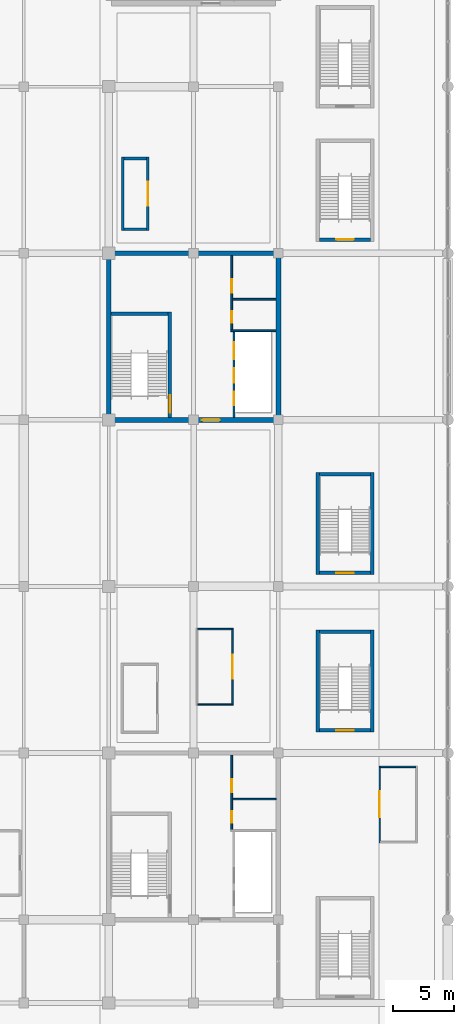
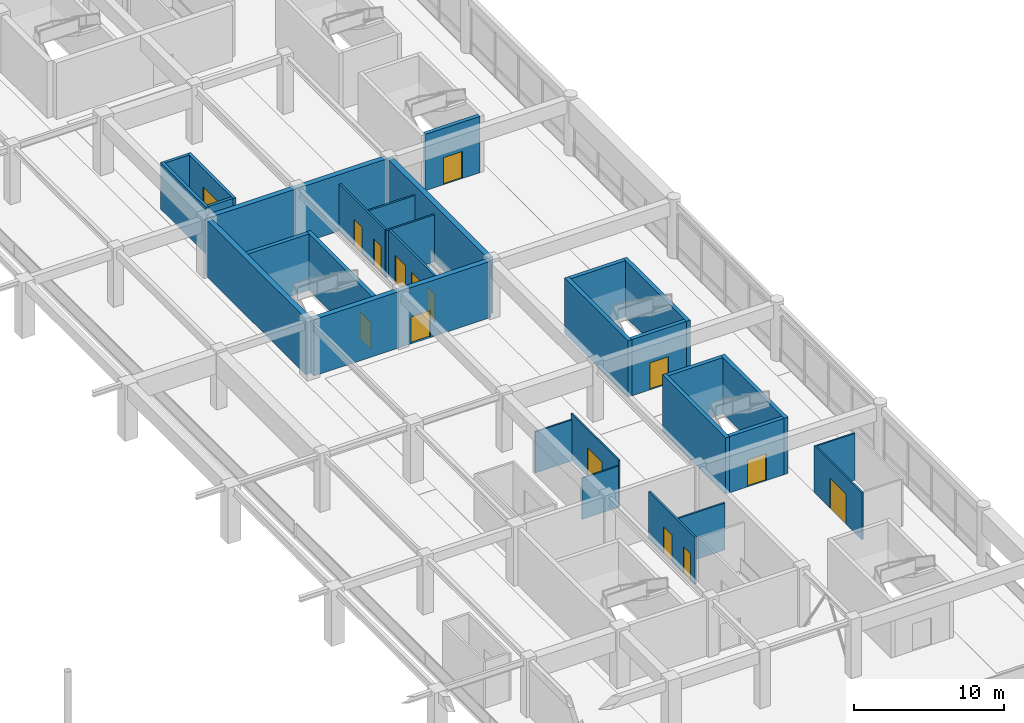
# One storey, part 69 of 91: 30 walls, 15 doors, 15 openings.
"""IFC4 building model written with IfcOpenShell, lengths in metres."""

from ifc_helpers import new_model, si_unit, direction, frame, frame_2d, origin, place, context, subcontext, project, spatial, rectangle, extrude, material, layer, layer_set, type_object, element, fill, save


model = new_model("IFC4")

# Units and contexts
model_context = context("Model", 3, precision=1e-05, world=origin(), true_north=direction((0.0, 1.0)))
body_context = subcontext(model_context, "Body", "Model", "MODEL_VIEW")
ifc_project = project(units=[si_unit("LENGTHUNIT", "METRE"), si_unit("AREAUNIT", "SQUARE_METRE"), si_unit("VOLUMEUNIT", "CUBIC_METRE"), si_unit("PLANEANGLEUNIT", "RADIAN"), si_unit("MASSUNIT", "GRAM", prefix="KILO")], contexts=[model_context])

# Site, building, storey
site_placement = place(None, origin())
site = spatial("IfcSite", under=ifc_project, at=site_placement, CompositionType="ELEMENT")
building_placement = place(site_placement, origin())
building = spatial("IfcBuilding", under=site, at=building_placement, Name="Linyun Crest Stadium", CompositionType="ELEMENT")
storey_placement = place(building_placement, frame((0.0, 0.0, 11.39990234375)))
storey = spatial("IfcBuildingStorey", under=building, at=storey_placement, Name="L03", CompositionType="ELEMENT", Elevation=11.39990234375)

# Walls
ifc_material_1 = material(Name="Concrete C50", Category="concrete")
ifc_layer_1 = layer(ifc_material_1, 0.39990234375)
ifc_layer_set_1 = layer_set([ifc_layer_1], Name="Concrete C50")
wall_type_1 = type_object("IfcWallType", Name="CW02", PredefinedType="SHEAR", material=ifc_layer_set_1)
for number, where, z_axis, x_axis, name in (
    (1, (70.0, 2.324951171875, 0.0), (0.0, 0.0, 1.0), (0.0, 1.0, 0.0), "Core shear wall CW02 CORE-E2 L03.1"),
    (2, (84.0, 2.324951171875, 0.0), (0.0, 0.0, 1.0), (0.0, 1.0, 0.0), "Core shear wall CW02 CORE-E2 L03.2"),
):
    element("IfcWall", number, at=place(storey_placement, frame(where, z_axis=z_axis, x_axis=x_axis)), inside=storey, type_object=wall_type_1, Name=name, PredefinedType="SHEAR", context=body_context, shape_type="SweptSolid", body=[
        extrude(rectangle(XDim=13.35009765625, YDim=0.39990234375, at=frame_2d((6.675048828125, 0.0))), origin(), (0.0, 0.0, 1.0), 4.580078125),
    ])

# Wall, opening, door
wall_1_placement = place(storey_placement, frame((70.199951171875, 2.125, 0.0), z_axis=(0.0, 0.0, 1.0), x_axis=(1.0, 0.0, 0.0)))
wall_1 = element("IfcWall", 3, at=wall_1_placement, inside=storey, type_object=wall_type_1, Name="Core shear wall CW02 CORE-E2 L03.3", PredefinedType="SHEAR", context=body_context, shape_type="SweptSolid", body=[
    extrude(rectangle(XDim=13.60009765625, YDim=0.39990234375, at=frame_2d((6.800048828125, 0.0))), origin(), (0.0, 0.0, 1.0), 4.580078125),
])
opening_1_placement = place(wall_1_placement, frame((7.47998046875, 0.0, 0.0)))
opening_1 = element("IfcOpeningElement", 4, at=opening_1_placement, cuts=wall_1, Name="Opening D-L03-205", PredefinedType="OPENING", context=body_context, shape_type="SweptSolid", body=[
    extrude(rectangle(XDim=1.5, YDim=2.199951171875, at=frame_2d((0.75, 1.10009765625))), frame((0.0, 0.2099609375, 0.0), z_axis=(0.0, -1.0, 0.0), x_axis=(1.0, 0.0, 0.0)), (0.0, 0.0, 1.0), 0.419921875),
])
ifc_material_2 = material(Name="Galvanized steel Class A fire door", Category="steel")
ifc_layer_2 = layer(ifc_material_2, 0.054931640625)
ifc_layer_set_2 = layer_set([ifc_layer_2], Name="Galvanized steel Class A fire door")
door_type_1 = type_object("IfcDoorType", Name="FD01", OperationType="NOTDEFINED", PredefinedType="DOOR", material=ifc_layer_set_2)
door_1_placement = place(opening_1_placement, origin())
door_1 = element("IfcDoor", 5, at=door_1_placement, inside=storey, type_object=door_type_1, Name="Door D-L03-205", OperationType="SINGLE_SWING_LEFT", OverallHeight=2.199951171875, OverallWidth=1.5, PredefinedType="DOOR", context=body_context, shape_type="SweptSolid", body=[
    extrude(rectangle(XDim=1.5, YDim=2.199951171875, at=frame_2d((0.75, 1.10009765625))), frame((0.0, 0.02490234375, 0.0), z_axis=(0.0, -1.0, 0.0), x_axis=(1.0, 0.0, 0.0)), (0.0, 0.0, 1.0), 0.050048828125),
])
fill(opening_1, door_1)

# Wall
wall_2_placement = place(storey_placement, frame((70.199951171875, 15.875, 0.0), z_axis=(0.0, 0.0, 1.0), x_axis=(1.0, 0.0, 0.0)))
element("IfcWall", 6, at=wall_2_placement, inside=storey, type_object=wall_type_1, Name="Core shear wall CW02 CORE-E2 L03.4", PredefinedType="SHEAR", context=body_context, shape_type="SweptSolid", body=[
    extrude(rectangle(XDim=13.60009765625, YDim=0.39990234375, at=frame_2d((6.800048828125, 0.0))), origin(), (0.0, 0.0, 1.0), 4.580078125),
])

# Wall, openings, doors
ifc_material_3 = material(Name="Autoclaved aerated concrete block fire partition", Category="concrete")
ifc_layer_3 = layer(ifc_material_3, 0.179931640625)
ifc_layer_set_3 = layer_set([ifc_layer_3], Name="Autoclaved aerated concrete block fire partition")
wall_type_2 = type_object("IfcWallType", Name="PW12", PredefinedType="PARTITIONING", material=ifc_layer_set_3)
wall_3_placement = place(storey_placement, frame((80.35009765625, 2.324951171875, 0.0), z_axis=(0.0, 0.0, 1.0), x_axis=(0.0, 1.0, 0.0)))
wall_3 = element("IfcWall", 7, at=wall_3_placement, inside=storey, type_object=wall_type_2, Name="Partition PW12 L03 75", PredefinedType="PARTITIONING", context=body_context, shape_type="SweptSolid", body=[
    extrude(rectangle(XDim=7.080078125, YDim=0.179931640625, at=frame_2d((3.5400390625, 0.0))), origin(), (0.0, 0.0, 1.0), 3.820068359375),
])
opening_2_placement = place(wall_3_placement, frame((1.0, 0.0, 0.0)))
opening_2 = element("IfcOpeningElement", 8, at=opening_2_placement, cuts=wall_3, Name="Opening LD070", PredefinedType="OPENING", context=body_context, shape_type="SweptSolid", body=[
    extrude(rectangle(XDim=1.10009765625, YDim=2.199951171875, at=frame_2d((0.550048828125, 1.10009765625))), frame((0.0, 0.099853515625, 0.0), z_axis=(0.0, -1.0, 0.0), x_axis=(1.0, 0.0, 0.0)), (0.0, 0.0, 1.0), 0.199951171875),
])
opening_3_placement = place(wall_3_placement, frame((2.85009765625, 0.0, 0.0)))
opening_3 = element("IfcOpeningElement", 9, at=opening_3_placement, cuts=wall_3, Name="Opening LD071", PredefinedType="OPENING", context=body_context, shape_type="SweptSolid", body=[
    extrude(rectangle(XDim=1.199951171875, YDim=2.25, at=frame_2d((0.60009765625, 1.125))), frame((0.0, 0.099853515625, 0.0), z_axis=(0.0, -1.0, 0.0), x_axis=(1.0, 0.0, 0.0)), (0.0, 0.0, 1.0), 0.199951171875),
])
opening_4_placement = place(wall_3_placement, frame((4.800048828125, 0.0, 0.0)))
opening_4 = element("IfcOpeningElement", 10, at=opening_4_placement, cuts=wall_3, Name="Opening LD072", PredefinedType="OPENING", context=body_context, shape_type="SweptSolid", body=[
    extrude(rectangle(XDim=1.39990234375, YDim=2.300048828125, at=frame_2d((0.699951171875, 1.14990234375))), frame((0.0, 0.099853515625, 0.0), z_axis=(0.0, -1.0, 0.0), x_axis=(1.0, 0.0, 0.0)), (0.0, 0.0, 1.0), 0.199951171875),
])
ifc_material_4 = material(Name="Brushed stainless sliding lift door")
ifc_layer_4 = layer(ifc_material_4, 0.050048828125)
ifc_layer_set_4 = layer_set([ifc_layer_4], Name="Brushed stainless sliding lift door")
door_type_2 = type_object("IfcDoorType", Name="LD01", OperationType="NOTDEFINED", PredefinedType="DOOR", material=ifc_layer_set_4)
door_2_placement = place(opening_2_placement, origin())
door_2 = element("IfcDoor", 11, at=door_2_placement, inside=storey, type_object=door_type_2, Name="Lift landing door LD070", OperationType="DOUBLE_DOOR_SLIDING", OverallHeight=2.199951171875, OverallWidth=1.10009765625, PredefinedType="DOOR", context=body_context, shape_type="SweptSolid", body=[
    extrude(rectangle(XDim=1.10009765625, YDim=2.199951171875, at=frame_2d((0.550048828125, 1.10009765625))), frame((0.0, 0.02490234375, 0.0), z_axis=(0.0, -1.0, 0.0), x_axis=(1.0, 0.0, 0.0)), (0.0, 0.0, 1.0), 0.050048828125),
])
fill(opening_2, door_2)
ifc_material_5 = material(Name="Brushed stainless sliding lift door")
ifc_layer_5 = layer(ifc_material_5, 0.050048828125)
ifc_layer_set_5 = layer_set([ifc_layer_5], Name="Brushed stainless sliding lift door")
door_type_3 = type_object("IfcDoorType", Name="LD02", OperationType="NOTDEFINED", PredefinedType="DOOR", material=ifc_layer_set_5)
door_3_placement = place(opening_3_placement, origin())
door_3 = element("IfcDoor", 12, at=door_3_placement, inside=storey, type_object=door_type_3, Name="Lift landing door LD071", OperationType="DOUBLE_DOOR_SLIDING", OverallHeight=2.25, OverallWidth=1.199951171875, PredefinedType="DOOR", context=body_context, shape_type="SweptSolid", body=[
    extrude(rectangle(XDim=1.199951171875, YDim=2.25, at=frame_2d((0.60009765625, 1.125))), frame((0.0, 0.02490234375, 0.0), z_axis=(0.0, -1.0, 0.0), x_axis=(1.0, 0.0, 0.0)), (0.0, 0.0, 1.0), 0.050048828125),
])
fill(opening_3, door_3)
ifc_material_6 = material(Name="Heavy-duty stainless sliding door")
ifc_layer_6 = layer(ifc_material_6, 0.054931640625)
ifc_layer_set_6 = layer_set([ifc_layer_6], Name="Heavy-duty stainless sliding door")
door_type_4 = type_object("IfcDoorType", Name="LD03", OperationType="NOTDEFINED", PredefinedType="DOOR", material=ifc_layer_set_6)
door_4_placement = place(opening_4_placement, origin())
door_4 = element("IfcDoor", 13, at=door_4_placement, inside=storey, type_object=door_type_4, Name="Lift landing door LD072", OperationType="DOUBLE_DOOR_SLIDING", OverallHeight=2.300048828125, OverallWidth=1.39990234375, PredefinedType="DOOR", context=body_context, shape_type="SweptSolid", body=[
    extrude(rectangle(XDim=1.39990234375, YDim=2.300048828125, at=frame_2d((0.699951171875, 1.14990234375))), frame((0.0, 0.02490234375, 0.0), z_axis=(0.0, -1.0, 0.0), x_axis=(1.0, 0.0, 0.0)), (0.0, 0.0, 1.0), 0.050048828125),
])
fill(opening_4, door_4)

ifc_material_7 = material(Name="Moisture-resistant ceramic-tiled wet-room wall")
ifc_layer_7 = layer(ifc_material_7, 0.139892578125)
ifc_layer_set_7 = layer_set([ifc_layer_7], Name="Moisture-resistant ceramic-tiled wet-room wall")
wall_type_3 = type_object("IfcWallType", Name="PW15", PredefinedType="PARTITIONING", material=ifc_layer_set_7)
wall_4_placement = place(storey_placement, frame((80.14990234375, -31.705078125, 0.0), z_axis=(0.0, 0.0, 1.0), x_axis=(0.0, 1.0, 0.0)))
wall_4 = element("IfcWall", 14, at=wall_4_placement, inside=storey, type_object=wall_type_3, Name="Partition PW15 L03 64", PredefinedType="PARTITIONING", context=body_context, shape_type="SweptSolid", body=[
    extrude(rectangle(XDim=6.155029296875, YDim=0.139892578125, at=frame_2d((3.07763671875, 0.0))), origin(), (0.0, 0.0, 1.0), 3.820068359375),
])
opening_5_placement = place(wall_4_placement, frame((0.580078125, 0.0, 0.0)))
opening_5 = element("IfcOpeningElement", 15, at=opening_5_placement, cuts=wall_4, Name="Opening D-L03-170", PredefinedType="OPENING", context=body_context, shape_type="SweptSolid", body=[
    extrude(rectangle(XDim=0.949951171875, YDim=2.14990234375, at=frame_2d((0.47509765625, 1.074951171875))), frame((0.0, 0.079833984375, 0.0), z_axis=(0.0, -1.0, 0.0), x_axis=(1.0, 0.0, 0.0)), (0.0, 0.0, 1.0), 0.159912109375),
])
opening_6_placement = place(wall_4_placement, frame((3.080078125, 0.0, 0.0)))
opening_6 = element("IfcOpeningElement", 16, at=opening_6_placement, cuts=wall_4, Name="Opening D-L03-171", PredefinedType="OPENING", context=body_context, shape_type="SweptSolid", body=[
    extrude(rectangle(XDim=1.10009765625, YDim=2.14990234375, at=frame_2d((0.550048828125, 1.074951171875))), frame((0.0, 0.079833984375, 0.0), z_axis=(0.0, -1.0, 0.0), x_axis=(1.0, 0.0, 0.0)), (0.0, 0.0, 1.0), 0.159912109375),
])
ifc_material_8 = material(Name="Moisture-resistant laminate leaf")
ifc_layer_8 = layer(ifc_material_8, 0.044921875)
ifc_layer_set_8 = layer_set([ifc_layer_8], Name="Moisture-resistant laminate leaf")
door_type_5 = type_object("IfcDoorType", Name="ID02", OperationType="NOTDEFINED", PredefinedType="DOOR", material=ifc_layer_set_8)
door_5_placement = place(opening_5_placement, origin())
door_5 = element("IfcDoor", 17, at=door_5_placement, inside=storey, type_object=door_type_5, Name="Door D-L03-170", OperationType="SINGLE_SWING_RIGHT", OverallHeight=2.14990234375, OverallWidth=0.949951171875, PredefinedType="DOOR", context=body_context, shape_type="SweptSolid", body=[
    extrude(rectangle(XDim=0.949951171875, YDim=2.14990234375, at=frame_2d((0.47509765625, 1.074951171875))), frame((0.0, 0.02490234375, 0.0), z_axis=(0.0, -1.0, 0.0), x_axis=(1.0, 0.0, 0.0)), (0.0, 0.0, 1.0), 0.050048828125),
])
fill(opening_5, door_5)
ifc_material_9 = material(Name="Moisture-resistant laminate leaf")
ifc_layer_9 = layer(ifc_material_9, 0.044921875)
ifc_layer_set_9 = layer_set([ifc_layer_9], Name="Moisture-resistant laminate leaf")
door_type_6 = type_object("IfcDoorType", Name="ID03", OperationType="NOTDEFINED", PredefinedType="DOOR", material=ifc_layer_set_9)
door_6_placement = place(opening_6_placement, origin())
door_6 = element("IfcDoor", 18, at=door_6_placement, inside=storey, type_object=door_type_6, Name="Door D-L03-171", OperationType="SINGLE_SWING_LEFT", OverallHeight=2.14990234375, OverallWidth=1.10009765625, PredefinedType="DOOR", context=body_context, shape_type="SweptSolid", body=[
    extrude(rectangle(XDim=1.10009765625, YDim=2.14990234375, at=frame_2d((0.550048828125, 1.074951171875))), frame((0.0, 0.02490234375, 0.0), z_axis=(0.0, -1.0, 0.0), x_axis=(1.0, 0.0, 0.0)), (0.0, 0.0, 1.0), 0.050048828125),
])
fill(opening_6, door_6)

wall_5_placement = place(storey_placement, frame((80.14990234375, 9.544921875, 0.0), z_axis=(0.0, 0.0, 1.0), x_axis=(0.0, 1.0, 0.0)))
wall_5 = element("IfcWall", 19, at=wall_5_placement, inside=storey, type_object=wall_type_3, Name="Partition PW15 L03 76", PredefinedType="PARTITIONING", context=body_context, shape_type="SweptSolid", body=[
    extrude(rectangle(XDim=6.130126953125, YDim=0.139892578125, at=frame_2d((3.06494140625, 0.0))), origin(), (0.0, 0.0, 1.0), 3.820068359375),
])
opening_7_placement = place(wall_5_placement, frame((0.580078125, 0.0, 0.0)))
opening_7 = element("IfcOpeningElement", 20, at=opening_7_placement, cuts=wall_5, Name="Opening D-L03-210", PredefinedType="OPENING", context=body_context, shape_type="SweptSolid", body=[
    extrude(rectangle(XDim=0.949951171875, YDim=2.14990234375, at=frame_2d((0.47509765625, 1.074951171875))), frame((0.0, 0.079833984375, 0.0), z_axis=(0.0, -1.0, 0.0), x_axis=(1.0, 0.0, 0.0)), (0.0, 0.0, 1.0), 0.159912109375),
])
opening_8_placement = place(wall_5_placement, frame((3.080078125, 0.0, 0.0)))
opening_8 = element("IfcOpeningElement", 21, at=opening_8_placement, cuts=wall_5, Name="Opening D-L03-211", PredefinedType="OPENING", context=body_context, shape_type="SweptSolid", body=[
    extrude(rectangle(XDim=1.10009765625, YDim=2.14990234375, at=frame_2d((0.550048828125, 1.074951171875))), frame((0.0, 0.079833984375, 0.0), z_axis=(0.0, -1.0, 0.0), x_axis=(1.0, 0.0, 0.0)), (0.0, 0.0, 1.0), 0.159912109375),
])
door_7_placement = place(opening_7_placement, origin())
door_7 = element("IfcDoor", 22, at=door_7_placement, inside=storey, type_object=door_type_5, Name="Door D-L03-210", OperationType="SINGLE_SWING_RIGHT", OverallHeight=2.14990234375, OverallWidth=0.949951171875, PredefinedType="DOOR", context=body_context, shape_type="SweptSolid", body=[
    extrude(rectangle(XDim=0.949951171875, YDim=2.14990234375, at=frame_2d((0.47509765625, 1.074951171875))), frame((0.0, 0.02490234375, 0.0), z_axis=(0.0, -1.0, 0.0), x_axis=(1.0, 0.0, 0.0)), (0.0, 0.0, 1.0), 0.050048828125),
])
fill(opening_7, door_7)
door_8_placement = place(opening_8_placement, origin())
door_8 = element("IfcDoor", 23, at=door_8_placement, inside=storey, type_object=door_type_6, Name="Door D-L03-211", OperationType="SINGLE_SWING_LEFT", OverallHeight=2.14990234375, OverallWidth=1.10009765625, PredefinedType="DOOR", context=body_context, shape_type="SweptSolid", body=[
    extrude(rectangle(XDim=1.10009765625, YDim=2.14990234375, at=frame_2d((0.550048828125, 1.074951171875))), frame((0.0, 0.02490234375, 0.0), z_axis=(0.0, -1.0, 0.0), x_axis=(1.0, 0.0, 0.0)), (0.0, 0.0, 1.0), 0.050048828125),
])
fill(opening_8, door_8)

# Walls
wall_6_placement = place(storey_placement, frame((80.219970703125, -29.175048828125, 0.0), z_axis=(0.0, 0.0, 1.0), x_axis=(1.0, 0.0, 0.0)))
element("IfcWall", 24, at=wall_6_placement, inside=storey, type_object=wall_type_3, Name="Enclosure partition PW15 L03 50", PredefinedType="PARTITIONING", context=body_context, shape_type="SweptSolid", body=[
    extrude(rectangle(XDim=3.60498046875, YDim=0.139892578125, at=frame_2d((1.802490234375, 0.0))), origin(), (0.0, 0.0, 1.0), 3.820068359375),
])
wall_7_placement = place(storey_placement, frame((80.080078125, 9.47509765625, 0.0), z_axis=(0.0, 0.0, 1.0), x_axis=(1.0, 0.0, 0.0)))
element("IfcWall", 25, at=wall_7_placement, inside=storey, type_object=wall_type_3, Name="Enclosure partition PW15 L03 61", PredefinedType="PARTITIONING", context=body_context, shape_type="SweptSolid", body=[
    extrude(rectangle(XDim=3.719970703125, YDim=0.139892578125, at=frame_2d((1.85986328125, 0.0))), origin(), (0.0, 0.0, 1.0), 3.820068359375),
])
wall_8_placement = place(storey_placement, frame((80.219970703125, 12.074951171875, 0.0), z_axis=(0.0, 0.0, 1.0), x_axis=(1.0, 0.0, 0.0)))
element("IfcWall", 26, at=wall_8_placement, inside=storey, type_object=wall_type_3, Name="Enclosure partition PW15 L03 62", PredefinedType="PARTITIONING", context=body_context, shape_type="SweptSolid", body=[
    extrude(rectangle(XDim=3.580078125, YDim=0.139892578125, at=frame_2d((1.7900390625, 0.0))), origin(), (0.0, 0.0, 1.0), 3.820068359375),
])

# Wall, opening, door
ifc_material_10 = material(Name="Acoustic broadcast studio double-leaf partition")
ifc_layer_10 = layer(ifc_material_10, 0.219970703125)
ifc_layer_set_10 = layer_set([ifc_layer_10], Name="Acoustic broadcast studio double-leaf partition")
wall_type_4 = type_object("IfcWallType", Name="PW16", PredefinedType="PARTITIONING", material=ifc_layer_set_10)
wall_9_placement = place(storey_placement, frame((73.23095703125, 23.804931640625, 0.0), z_axis=(0.0, 0.0, 1.0), x_axis=(0.0, -1.0, 0.0)))
wall_9 = element("IfcWall", 27, at=wall_9_placement, inside=storey, type_object=wall_type_4, Name="Partition PW16 L03 208", PredefinedType="PARTITIONING", context=body_context, shape_type="SweptSolid", body=[
    extrude(rectangle(XDim=6.050048828125, YDim=0.219970703125, at=frame_2d((3.02490234375, 0.0))), origin(), (0.0, 0.0, 1.0), 3.820068359375),
])
opening_9_placement = place(wall_9_placement, frame((2.050048828125, 0.0, 0.0)))
opening_9 = element("IfcOpeningElement", 28, at=opening_9_placement, cuts=wall_9, Name="Opening D-L03-471", PredefinedType="OPENING", context=body_context, shape_type="SweptSolid", body=[
    extrude(rectangle(XDim=1.949951171875, YDim=2.35009765625, at=frame_2d((0.97509765625, 1.175048828125))), frame((0.0, 0.119873046875, 0.0), z_axis=(0.0, -1.0, 0.0), x_axis=(1.0, 0.0, 0.0)), (0.0, 0.0, 1.0), 0.239990234375),
])
ifc_material_11 = material(Name="Arched glazed cafe double door")
ifc_layer_11 = layer(ifc_material_11, 0.054931640625)
ifc_layer_set_11 = layer_set([ifc_layer_11], Name="Arched glazed cafe double door")
door_type_7 = type_object("IfcDoorType", Name="ID17", OperationType="NOTDEFINED", PredefinedType="DOOR", material=ifc_layer_set_11)
door_9_placement = place(opening_9_placement, origin())
door_9 = element("IfcDoor", 29, at=door_9_placement, inside=storey, type_object=door_type_7, Name="Door D-L03-471", OperationType="DOUBLE_DOOR_SINGLE_SWING", OverallHeight=2.35009765625, OverallWidth=1.949951171875, PredefinedType="DOOR", context=body_context, shape_type="SweptSolid", body=[
    extrude(rectangle(XDim=1.949951171875, YDim=2.35009765625, at=frame_2d((0.97509765625, 1.175048828125))), frame((0.0, 0.02490234375, 0.0), z_axis=(0.0, -1.0, 0.0), x_axis=(1.0, 0.0, 0.0)), (0.0, 0.0, 1.0), 0.050048828125),
])
fill(opening_9, door_9)

# Walls
wall_10_placement = place(storey_placement, frame((71.15087890625, 17.7548828125, 0.0), z_axis=(0.0, 0.0, 1.0), x_axis=(0.0, 1.0, 0.0)))
element("IfcWall", 30, at=wall_10_placement, inside=storey, type_object=wall_type_4, Name="Enclosure partition PW16 L03 340", PredefinedType="PARTITIONING", context=body_context, shape_type="SweptSolid", body=[
    extrude(rectangle(XDim=6.050048828125, YDim=0.219970703125, at=frame_2d((3.02490234375, 0.0))), origin(), (0.0, 0.0, 1.0), 3.820068359375),
])
for number, where, z_axis, x_axis, name in (
    (31, (71.260986328125, 17.864990234375, 0.0), (0.0, 0.0, 1.0), (1.0, 0.0, 0.0), "Enclosure partition PW16 L03 341"),
    (32, (71.260986328125, 23.695068359375, 0.0), (0.0, 0.0, 1.0), (1.0, 0.0, 0.0), "Enclosure partition PW16 L03 342"),
):
    element("IfcWall", number, at=place(storey_placement, frame(where, z_axis=z_axis, x_axis=x_axis)), inside=storey, type_object=wall_type_4, Name=name, PredefinedType="PARTITIONING", context=body_context, shape_type="SweptSolid", body=[
        extrude(rectangle(XDim=1.860107421875, YDim=0.219970703125, at=frame_2d((0.93017578125, 0.0))), origin(), (0.0, 0.0, 1.0), 3.820068359375),
    ])

# Wall, opening, door
ifc_material_12 = material(Name="Steel-stud hospitality suite partition", Category="steel")
ifc_layer_12 = layer(ifc_material_12, 0.125)
ifc_layer_set_12 = layer_set([ifc_layer_12], Name="Steel-stud hospitality suite partition")
wall_type_5 = type_object("IfcWallType", Name="PW17", PredefinedType="PARTITIONING", material=ifc_layer_set_12)
wall_11_placement = place(storey_placement, frame((92.35400390625, -32.784912109375, 0.0), z_axis=(0.0, 0.0, 1.0), x_axis=(0.0, 1.0, 0.0)))
wall_11 = element("IfcWall", 33, at=wall_11_placement, inside=storey, type_object=wall_type_5, Name="Partition PW17 L03 209", PredefinedType="PARTITIONING", context=body_context, shape_type="SweptSolid", body=[
    extrude(rectangle(XDim=6.33984375, YDim=0.125, at=frame_2d((3.169921875, 0.0))), origin(), (0.0, 0.0, 1.0), 3.820068359375),
])
opening_10_placement = place(wall_11_placement, frame((2.094970703125, 0.0, 0.0)))
opening_10 = element("IfcOpeningElement", 34, at=opening_10_placement, cuts=wall_11, Name="Opening D-L03-472", PredefinedType="OPENING", context=body_context, shape_type="SweptSolid", body=[
    extrude(rectangle(XDim=2.14990234375, YDim=2.449951171875, at=frame_2d((1.074951171875, 1.22509765625))), frame((0.0, 0.072509765625, 0.0), z_axis=(0.0, -1.0, 0.0), x_axis=(1.0, 0.0, 0.0)), (0.0, 0.0, 1.0), 0.14501953125),
])
ifc_material_13 = material(Name="Anodized aluminium retail door", Category="aluminium")
ifc_layer_13 = layer(ifc_material_13, 0.054931640625)
ifc_layer_set_13 = layer_set([ifc_layer_13], Name="Anodized aluminium retail door")
door_type_8 = type_object("IfcDoorType", Name="ID18", OperationType="NOTDEFINED", PredefinedType="DOOR", material=ifc_layer_set_13)
door_10_placement = place(opening_10_placement, origin())
door_10 = element("IfcDoor", 35, at=door_10_placement, inside=storey, type_object=door_type_8, Name="Door D-L03-472", OperationType="DOUBLE_DOOR_SINGLE_SWING", OverallHeight=2.449951171875, OverallWidth=2.14990234375, PredefinedType="DOOR", context=body_context, shape_type="SweptSolid", body=[
    extrude(rectangle(XDim=2.14990234375, YDim=2.449951171875, at=frame_2d((1.074951171875, 1.22509765625))), frame((0.0, 0.02490234375, 0.0), z_axis=(0.0, -1.0, 0.0), x_axis=(1.0, 0.0, 0.0)), (0.0, 0.0, 1.0), 0.050048828125),
])
fill(opening_10, door_10)

# Wall
wall_12_placement = place(storey_placement, frame((92.4169921875, -26.508056640625, 0.0), z_axis=(0.0, 0.0, 1.0), x_axis=(1.0, 0.0, 0.0)))
element("IfcWall", 36, at=wall_12_placement, inside=storey, type_object=wall_type_5, Name="Enclosure partition PW17 L03 345", PredefinedType="PARTITIONING", context=body_context, shape_type="SweptSolid", body=[
    extrude(rectangle(XDim=2.93408203125, YDim=0.125, at=frame_2d((1.467041015625, 0.0))), origin(), (0.0, 0.0, 1.0), 3.820068359375),
])

# Wall, opening, door
ifc_material_14 = material(Name="Glazed hospitality salon screen partition")
ifc_layer_14 = layer(ifc_material_14, 0.114990234375)
ifc_layer_set_14 = layer_set([ifc_layer_14], Name="Glazed hospitality salon screen partition")
wall_type_6 = type_object("IfcWallType", Name="PW21", PredefinedType="PARTITIONING", material=ifc_layer_set_14)
wall_13_placement = place(storey_placement, frame((80.20703125, -15.0859375, 0.0), z_axis=(0.0, 0.0, 1.0), x_axis=(0.0, -1.0, 0.0)))
wall_13 = element("IfcWall", 37, at=wall_13_placement, inside=storey, type_object=wall_type_6, Name="Partition PW21 L03 257", PredefinedType="PARTITIONING", context=body_context, shape_type="SweptSolid", body=[
    extrude(rectangle(XDim=6.340087890625, YDim=0.114990234375, at=frame_2d((3.169921875, 0.0))), origin(), (0.0, 0.0, 1.0), 3.820068359375),
])
opening_11_placement = place(wall_13_placement, frame((2.195068359375, 0.0, 0.0)))
opening_11 = element("IfcOpeningElement", 38, at=opening_11_placement, cuts=wall_13, Name="Opening D-L03-520", PredefinedType="OPENING", context=body_context, shape_type="SweptSolid", body=[
    extrude(rectangle(XDim=1.949951171875, YDim=2.35009765625, at=frame_2d((0.97509765625, 1.175048828125))), frame((0.0, 0.0673828125, 0.0), z_axis=(0.0, -1.0, 0.0), x_axis=(1.0, 0.0, 0.0)), (0.0, 0.0, 1.0), 0.135009765625),
])
door_11_placement = place(opening_11_placement, origin())
door_11 = element("IfcDoor", 39, at=door_11_placement, inside=storey, type_object=door_type_7, Name="Door D-L03-520", OperationType="DOUBLE_DOOR_SINGLE_SWING", OverallHeight=2.35009765625, OverallWidth=1.949951171875, PredefinedType="DOOR", context=body_context, shape_type="SweptSolid", body=[
    extrude(rectangle(XDim=1.949951171875, YDim=2.35009765625, at=frame_2d((0.97509765625, 1.175048828125))), frame((0.0, 0.02490234375, 0.0), z_axis=(0.0, -1.0, 0.0), x_axis=(1.0, 0.0, 0.0)), (0.0, 0.0, 1.0), 0.050048828125),
])
fill(opening_11, door_11)

# Walls
for number, where, z_axis, x_axis, name in (
    (40, (77.344970703125, -21.367919921875, 0.0), (0.0, 0.0, 1.0), (1.0, 0.0, 0.0), "Enclosure partition PW21 L03 488"),
    (41, (77.344970703125, -15.14404296875, 0.0), (0.0, 0.0, 1.0), (1.0, 0.0, 0.0), "Enclosure partition PW21 L03 489"),
):
    element("IfcWall", number, at=place(storey_placement, frame(where, z_axis=z_axis, x_axis=x_axis)), inside=storey, type_object=wall_type_6, Name=name, PredefinedType="PARTITIONING", context=body_context, shape_type="SweptSolid", body=[
        extrude(rectangle(XDim=2.803955078125, YDim=0.114990234375, at=frame_2d((1.40185546875, 0.0))), origin(), (0.0, 0.0, 1.0), 3.35498046875),
    ])

# Wall, opening, door
ifc_material_15 = material(Name="Concrete C50", Category="concrete")
ifc_layer_15 = layer(ifc_material_15, 0.300048828125)
ifc_layer_set_15 = layer_set([ifc_layer_15], Name="Concrete C50")
wall_type_7 = type_object("IfcWallType", Name="SW01", PredefinedType="SHEAR", material=ifc_layer_set_15)
wall_14_placement = place(storey_placement, frame((75.050048828125, 2.324951171875, 0.0), z_axis=(0.0, 0.0, 1.0), x_axis=(0.0, 1.0, 0.0)))
wall_14 = element("IfcWall", 42, at=wall_14_placement, inside=storey, type_object=wall_type_7, Name="Core stair east bearing wall SW01 5 L03", PredefinedType="SHEAR", context=body_context, shape_type="SweptSolid", body=[
    extrude(rectangle(XDim=8.699951171875, YDim=0.300048828125, at=frame_2d((4.35009765625, 0.0))), origin(), (0.0, 0.0, 1.0), 4.580078125),
])
opening_12_placement = place(wall_14_placement, frame((0.3701171875, 0.0, 0.0)))
opening_12 = element("IfcOpeningElement", 43, at=opening_12_placement, cuts=wall_14, Name="Opening D-L03-206", PredefinedType="OPENING", context=body_context, shape_type="SweptSolid", body=[
    extrude(rectangle(XDim=1.449951171875, YDim=2.199951171875, at=frame_2d((0.72509765625, 1.10009765625))), frame((0.0, 0.159912109375, 0.0), z_axis=(0.0, -1.0, 0.0), x_axis=(1.0, 0.0, 0.0)), (0.0, 0.0, 1.0), 0.320068359375),
])
ifc_material_16 = material(Name="Galvanized steel Class A fire door", Category="steel")
ifc_layer_16 = layer(ifc_material_16, 0.054931640625)
ifc_layer_set_16 = layer_set([ifc_layer_16], Name="Galvanized steel Class A fire door")
door_type_9 = type_object("IfcDoorType", Name="FD02", OperationType="NOTDEFINED", PredefinedType="DOOR", material=ifc_layer_set_16)
door_12_placement = place(opening_12_placement, origin())
door_12 = element("IfcDoor", 44, at=door_12_placement, inside=storey, type_object=door_type_9, Name="Door D-L03-206", OperationType="SINGLE_SWING_RIGHT", OverallHeight=2.199951171875, OverallWidth=1.449951171875, PredefinedType="DOOR", context=body_context, shape_type="SweptSolid", body=[
    extrude(rectangle(XDim=1.449951171875, YDim=2.199951171875, at=frame_2d((0.72509765625, 1.10009765625))), frame((0.0, 0.02490234375, 0.0), z_axis=(0.0, -1.0, 0.0), x_axis=(1.0, 0.0, 0.0)), (0.0, 0.0, 1.0), 0.050048828125),
])
fill(opening_12, door_12)

# Wall
wall_15_placement = place(storey_placement, frame((70.199951171875, 10.875, 0.0), z_axis=(0.0, 0.0, 1.0), x_axis=(1.0, 0.0, 0.0)))
element("IfcWall", 45, at=wall_15_placement, inside=storey, type_object=wall_type_7, Name="Core stair bearing wall SW01 5 L03", PredefinedType="SHEAR", context=body_context, shape_type="SweptSolid", body=[
    extrude(rectangle(XDim=4.699951171875, YDim=0.300048828125, at=frame_2d((2.35009765625, 0.0))), origin(), (0.0, 0.0, 1.0), 4.580078125),
])

# Wall, opening, door
wall_16_placement = place(storey_placement, frame((87.39990234375, -23.5, 0.0), z_axis=(0.0, 0.0, 1.0), x_axis=(1.0, 0.0, 0.0)))
wall_16 = element("IfcWall", 46, at=wall_16_placement, inside=storey, type_object=wall_type_7, Name="Stair shaft wall SW01 STR-19 L03 S", PredefinedType="SHEAR", context=body_context, shape_type="SweptSolid", body=[
    extrude(rectangle(XDim=4.2001953125, YDim=0.300048828125, at=frame_2d((2.10009765625, 0.0))), origin(), (0.0, 0.0, 1.0), 4.580078125),
])
opening_13_placement = place(wall_16_placement, frame((1.375, 0.0, 0.0)))
opening_13 = element("IfcOpeningElement", 47, at=opening_13_placement, cuts=wall_16, Name="Opening D-L03-575", PredefinedType="OPENING", context=body_context, shape_type="SweptSolid", body=[
    extrude(rectangle(XDim=1.449951171875, YDim=2.199951171875, at=frame_2d((0.72509765625, 1.10009765625))), frame((0.0, 0.159912109375, 0.0), z_axis=(0.0, -1.0, 0.0), x_axis=(1.0, 0.0, 0.0)), (0.0, 0.0, 1.0), 0.320068359375),
])
door_13_placement = place(opening_13_placement, origin())
door_13 = element("IfcDoor", 48, at=door_13_placement, inside=storey, type_object=door_type_9, Name="Door D-L03-575", OperationType="SINGLE_SWING_LEFT", OverallHeight=2.199951171875, OverallWidth=1.449951171875, PredefinedType="DOOR", context=body_context, shape_type="SweptSolid", body=[
    extrude(rectangle(XDim=1.449951171875, YDim=2.199951171875, at=frame_2d((0.72509765625, 1.10009765625))), frame((0.0, 0.02490234375, 0.0), z_axis=(0.0, -1.0, 0.0), x_axis=(1.0, 0.0, 0.0)), (0.0, 0.0, 1.0), 0.050048828125),
])
fill(opening_13, door_13)

# Walls
wall_17_placement = place(storey_placement, frame((87.39990234375, -15.35009765625, 0.0), z_axis=(0.0, 0.0, 1.0), x_axis=(1.0, 0.0, 0.0)))
element("IfcWall", 49, at=wall_17_placement, inside=storey, type_object=wall_type_7, Name="Stair shaft wall SW01 STR-19 L03 N", PredefinedType="SHEAR", context=body_context, shape_type="SweptSolid", body=[
    extrude(rectangle(XDim=4.2001953125, YDim=0.300048828125, at=frame_2d((2.10009765625, 0.0))), origin(), (0.0, 0.0, 1.0), 4.580078125),
])
for number, where, z_axis, x_axis, name in (
    (50, (87.25, -23.64990234375, 0.0), (0.0, 0.0, 1.0), (0.0, 1.0, 0.0), "Stair shaft wall SW01 STR-19 L03 W"),
    (51, (91.75, -23.64990234375, 0.0), (0.0, 0.0, 1.0), (0.0, 1.0, 0.0), "Stair shaft wall SW01 STR-19 L03 E"),
):
    element("IfcWall", number, at=place(storey_placement, frame(where, z_axis=z_axis, x_axis=x_axis)), inside=storey, type_object=wall_type_7, Name=name, PredefinedType="SHEAR", context=body_context, shape_type="SweptSolid", body=[
        extrude(rectangle(XDim=8.449951171875, YDim=0.300048828125, at=frame_2d((4.22509765625, 0.0))), origin(), (0.0, 0.0, 1.0), 4.580078125),
    ])

# Wall, opening, door
wall_18_placement = place(storey_placement, frame((87.39990234375, -10.5, 0.0), z_axis=(0.0, 0.0, 1.0), x_axis=(1.0, 0.0, 0.0)))
wall_18 = element("IfcWall", 52, at=wall_18_placement, inside=storey, type_object=wall_type_7, Name="Stair shaft wall SW01 STR-20 L03 S", PredefinedType="SHEAR", context=body_context, shape_type="SweptSolid", body=[
    extrude(rectangle(XDim=4.2001953125, YDim=0.300048828125, at=frame_2d((2.10009765625, 0.0))), origin(), (0.0, 0.0, 1.0), 4.580078125),
])
opening_14_placement = place(wall_18_placement, frame((1.375, 0.0, 0.0)))
opening_14 = element("IfcOpeningElement", 53, at=opening_14_placement, cuts=wall_18, Name="Opening D-L03-581", PredefinedType="OPENING", context=body_context, shape_type="SweptSolid", body=[
    extrude(rectangle(XDim=1.449951171875, YDim=2.199951171875, at=frame_2d((0.72509765625, 1.10009765625))), frame((0.0, 0.159912109375, 0.0), z_axis=(0.0, -1.0, 0.0), x_axis=(1.0, 0.0, 0.0)), (0.0, 0.0, 1.0), 0.320068359375),
])
door_14_placement = place(opening_14_placement, origin())
door_14 = element("IfcDoor", 54, at=door_14_placement, inside=storey, type_object=door_type_9, Name="Door D-L03-581", OperationType="SINGLE_SWING_LEFT", OverallHeight=2.199951171875, OverallWidth=1.449951171875, PredefinedType="DOOR", context=body_context, shape_type="SweptSolid", body=[
    extrude(rectangle(XDim=1.449951171875, YDim=2.199951171875, at=frame_2d((0.72509765625, 1.10009765625))), frame((0.0, 0.02490234375, 0.0), z_axis=(0.0, -1.0, 0.0), x_axis=(1.0, 0.0, 0.0)), (0.0, 0.0, 1.0), 0.050048828125),
])
fill(opening_14, door_14)

# Walls
wall_19_placement = place(storey_placement, frame((87.39990234375, -2.35009765625, 0.0), z_axis=(0.0, 0.0, 1.0), x_axis=(1.0, 0.0, 0.0)))
element("IfcWall", 55, at=wall_19_placement, inside=storey, type_object=wall_type_7, Name="Stair shaft wall SW01 STR-20 L03 N", PredefinedType="SHEAR", context=body_context, shape_type="SweptSolid", body=[
    extrude(rectangle(XDim=4.2001953125, YDim=0.300048828125, at=frame_2d((2.10009765625, 0.0))), origin(), (0.0, 0.0, 1.0), 4.580078125),
])
for number, where, z_axis, x_axis, name in (
    (56, (87.25, -10.64990234375, 0.0), (0.0, 0.0, 1.0), (0.0, 1.0, 0.0), "Stair shaft wall SW01 STR-20 L03 W"),
    (57, (91.75, -10.64990234375, 0.0), (0.0, 0.0, 1.0), (0.0, 1.0, 0.0), "Stair shaft wall SW01 STR-20 L03 E"),
):
    element("IfcWall", number, at=place(storey_placement, frame(where, z_axis=z_axis, x_axis=x_axis)), inside=storey, type_object=wall_type_7, Name=name, PredefinedType="SHEAR", context=body_context, shape_type="SweptSolid", body=[
        extrude(rectangle(XDim=8.449951171875, YDim=0.300048828125, at=frame_2d((4.22509765625, 0.0))), origin(), (0.0, 0.0, 1.0), 4.580078125),
    ])

# Wall, opening, door
wall_20_placement = place(storey_placement, frame((87.39990234375, 17.0, 0.0), z_axis=(0.0, 0.0, 1.0), x_axis=(1.0, 0.0, 0.0)))
wall_20 = element("IfcWall", 58, at=wall_20_placement, inside=storey, type_object=wall_type_7, Name="Stair shaft wall SW01 STR-21 L03 S", PredefinedType="SHEAR", context=body_context, shape_type="SweptSolid", body=[
    extrude(rectangle(XDim=4.2001953125, YDim=0.300048828125, at=frame_2d((2.10009765625, 0.0))), origin(), (0.0, 0.0, 1.0), 4.580078125),
])
opening_15_placement = place(wall_20_placement, frame((1.375, 0.0, 0.0)))
opening_15 = element("IfcOpeningElement", 59, at=opening_15_placement, cuts=wall_20, Name="Opening D-L03-586", PredefinedType="OPENING", context=body_context, shape_type="SweptSolid", body=[
    extrude(rectangle(XDim=1.449951171875, YDim=2.199951171875, at=frame_2d((0.72509765625, 1.10009765625))), frame((0.0, 0.159912109375, 0.0), z_axis=(0.0, -1.0, 0.0), x_axis=(1.0, 0.0, 0.0)), (0.0, 0.0, 1.0), 0.320068359375),
])
door_15_placement = place(opening_15_placement, origin())
door_15 = element("IfcDoor", 60, at=door_15_placement, inside=storey, type_object=door_type_9, Name="Door D-L03-586", OperationType="SINGLE_SWING_RIGHT", OverallHeight=2.199951171875, OverallWidth=1.449951171875, PredefinedType="DOOR", context=body_context, shape_type="SweptSolid", body=[
    extrude(rectangle(XDim=1.449951171875, YDim=2.199951171875, at=frame_2d((0.72509765625, 1.10009765625))), frame((0.0, 0.02490234375, 0.0), z_axis=(0.0, -1.0, 0.0), x_axis=(1.0, 0.0, 0.0)), (0.0, 0.0, 1.0), 0.050048828125),
])
fill(opening_15, door_15)

save(model, "model.ifc")
